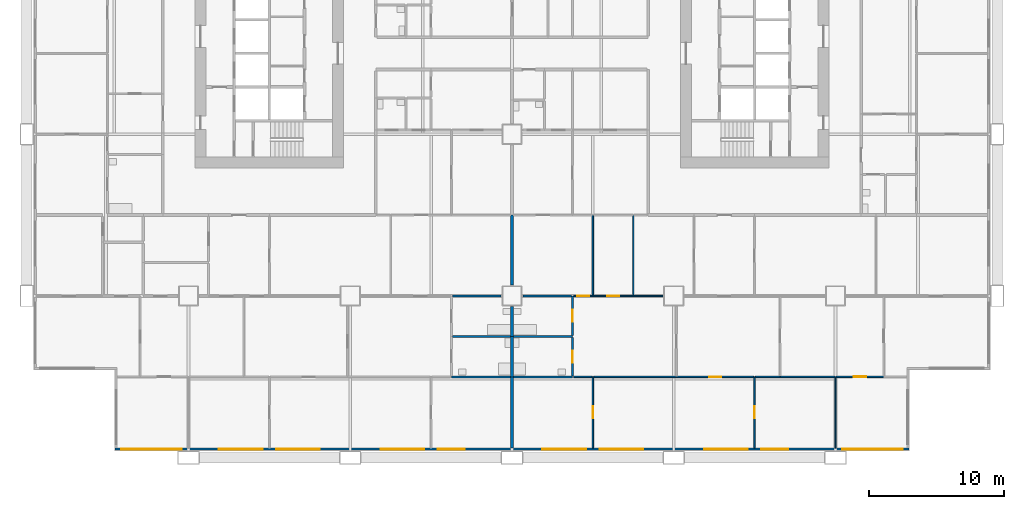
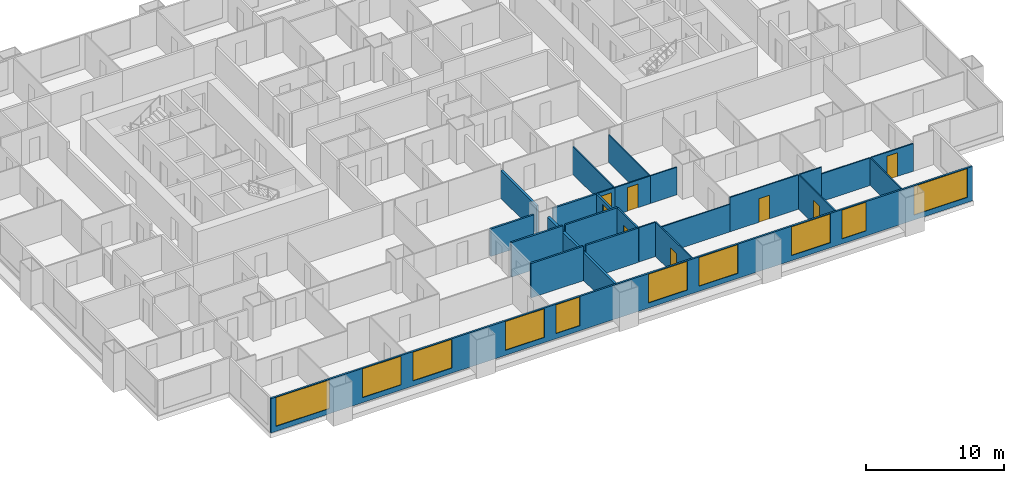
# One storey, part 5 of 14: 27 walls, 10 windows, 8 doors, 18 openings.
"""IFC4 building model written with IfcOpenShell, lengths in metres."""

from ifc_helpers import new_model, si_unit, direction, frame, frame_2d, origin, place, context, subcontext, project, spatial, rectangle, extrude, material, layer, layer_set, type_object, element, fill, save


model = new_model("IFC4")

# Units and contexts
model_context = context("Model", 3, precision=1e-05, world=origin(), true_north=direction((0.0, 1.0)))
body_context = subcontext(model_context, "Body", "Model", "MODEL_VIEW")
ifc_project = project(units=[si_unit("LENGTHUNIT", "METRE"), si_unit("AREAUNIT", "SQUARE_METRE"), si_unit("VOLUMEUNIT", "CUBIC_METRE"), si_unit("PLANEANGLEUNIT", "RADIAN"), si_unit("MASSUNIT", "GRAM", prefix="KILO")], contexts=[model_context])

# Site, building, storey
site_placement = place(None, origin())
site = spatial("IfcSite", under=ifc_project, at=site_placement, CompositionType="ELEMENT")
building_placement = place(site_placement, origin())
building = spatial("IfcBuilding", under=site, at=building_placement, Name="Kitamizu Gate Tower and Museum", CompositionType="ELEMENT")
storey_placement = place(building_placement, frame((0.0, 0.0, 67.949951171875)))
storey = spatial("IfcBuildingStorey", under=building, at=storey_placement, Name="L16", CompositionType="ELEMENT", Elevation=67.949951171875)

# Wall, opening, door
ifc_material_1 = material(Name="Gypsum board on galvanised stud")
ifc_layer_1 = layer(ifc_material_1, 0.10009765625)
ifc_layer_set_1 = layer_set([ifc_layer_1], Name="Gypsum board on galvanised stud")
wall_type_1 = type_object("IfcWallType", Name="Partition 100 NOT RATED", PredefinedType="PARTITIONING", material=ifc_layer_set_1)
wall_1_placement = place(storey_placement, frame((42.0, 0.719970703125, 0.0), z_axis=(0.0, 0.0, 1.0), x_axis=(0.0, 1.0, 0.0)))
wall_1 = element("IfcWall", 1, at=wall_1_placement, inside=storey, type_object=wall_type_1, Name="Partition L16-071", PredefinedType="PARTITIONING", context=body_context, shape_type="SweptSolid", body=[
    extrude(rectangle(XDim=5.280029296875, YDim=0.10009765625, at=frame_2d((2.64013671875, 0.0))), origin(), (0.0, 0.0, 1.0), 3.050048828125),
])
opening_1_placement = place(wall_1_placement, frame((2.18994140625, 0.0, 0.0)))
opening_1 = element("IfcOpeningElement", 2, at=opening_1_placement, cuts=wall_1, Name="Opening L16-032", PredefinedType="OPENING", context=body_context, shape_type="SweptSolid", body=[
    extrude(rectangle(XDim=0.89990234375, YDim=2.10009765625, at=frame_2d((0.449951171875, 1.050048828125))), frame((0.0, 0.06005859375, 0.0), z_axis=(0.0, -1.0, 0.0), x_axis=(1.0, 0.0, 0.0)), (0.0, 0.0, 1.0), 0.1201171875),
])
ifc_material_2 = material(Name="Timber door set", Category="wood")
door_type_1 = type_object("IfcDoorType", Name="Room door 900", OperationType="NOTDEFINED", PredefinedType="DOOR", material=ifc_material_2)
door_1_placement = place(opening_1_placement, origin())
door_1 = element("IfcDoor", 3, at=door_1_placement, inside=storey, type_object=door_type_1, Name="Door L16-032", OperationType="SINGLE_SWING_LEFT", OverallHeight=2.10009765625, OverallWidth=0.89990234375, PredefinedType="DOOR", context=body_context, shape_type="SweptSolid", body=[
    extrude(rectangle(XDim=0.89990234375, YDim=2.10009765625, at=frame_2d((0.449951171875, 1.050048828125))), frame((0.0, 0.02490234375, 0.0), z_axis=(0.0, -1.0, 0.0), x_axis=(1.0, 0.0, 0.0)), (0.0, 0.0, 1.0), 0.050048828125),
])
fill(opening_1, door_1)

# Wall
wall_2_placement = place(storey_placement, frame((41.949951171875, 6.0, 0.0), z_axis=(0.0, 0.0, 1.0), x_axis=(-1.0, 0.0, 0.0)))
element("IfcWall", 4, at=wall_2_placement, inside=storey, type_object=wall_type_1, Name="Partition L16-073", PredefinedType="PARTITIONING", context=body_context, shape_type="SweptSolid", body=[
    extrude(rectangle(XDim=1.375, YDim=0.10009765625, at=frame_2d((0.6875, 0.0))), origin(), (0.0, 0.0, 1.0), 3.050048828125),
])

# Wall, opening, door
wall_3_placement = place(storey_placement, frame((54.0, 0.719970703125, 0.0), z_axis=(0.0, 0.0, 1.0), x_axis=(0.0, 1.0, 0.0)))
wall_3 = element("IfcWall", 5, at=wall_3_placement, inside=storey, type_object=wall_type_1, Name="Partition L16-074", PredefinedType="PARTITIONING", context=body_context, shape_type="SweptSolid", body=[
    extrude(rectangle(XDim=5.280029296875, YDim=0.10009765625, at=frame_2d((2.64013671875, 0.0))), origin(), (0.0, 0.0, 1.0), 3.050048828125),
])
opening_2_placement = place(wall_3_placement, frame((2.18994140625, 0.0, 0.0)))
opening_2 = element("IfcOpeningElement", 6, at=opening_2_placement, cuts=wall_3, Name="Opening L16-033", PredefinedType="OPENING", context=body_context, shape_type="SweptSolid", body=[
    extrude(rectangle(XDim=0.89990234375, YDim=2.10009765625, at=frame_2d((0.449951171875, 1.050048828125))), frame((0.0, 0.06005859375, 0.0), z_axis=(0.0, -1.0, 0.0), x_axis=(1.0, 0.0, 0.0)), (0.0, 0.0, 1.0), 0.1201171875),
])
door_2_placement = place(opening_2_placement, frame((0.89990234375, 0.0, 0.0), x_axis=(-1.0, 0.0, 0.0)))
door_2 = element("IfcDoor", 7, at=door_2_placement, inside=storey, type_object=door_type_1, Name="Door L16-033", OperationType="SINGLE_SWING_LEFT", OverallHeight=2.10009765625, OverallWidth=0.89990234375, PredefinedType="DOOR", context=body_context, shape_type="SweptSolid", body=[
    extrude(rectangle(XDim=0.89990234375, YDim=2.10009765625, at=frame_2d((0.449951171875, 1.050048828125))), frame((0.0, 0.02490234375, 0.0), z_axis=(0.0, -1.0, 0.0), x_axis=(1.0, 0.0, 0.0)), (0.0, 0.0, 1.0), 0.050048828125),
])
fill(opening_2, door_2)

# Wall
wall_4_placement = place(storey_placement, frame((48.195068359375, 6.0, 0.0), z_axis=(0.0, 0.0, 1.0), x_axis=(-1.0, 0.0, 0.0)))
element("IfcWall", 8, at=wall_4_placement, inside=storey, type_object=wall_type_1, Name="Partition L16-075", PredefinedType="PARTITIONING", context=body_context, shape_type="SweptSolid", body=[
    extrude(rectangle(XDim=6.14501953125, YDim=0.10009765625, at=frame_2d((3.072509765625, 0.0))), origin(), (0.0, 0.0, 1.0), 2.449951171875),
])

# Wall, opening, door
wall_5_placement = place(storey_placement, frame((53.949951171875, 6.0, 0.0), z_axis=(0.0, 0.0, 1.0), x_axis=(-1.0, 0.0, 0.0)))
wall_5 = element("IfcWall", 9, at=wall_5_placement, inside=storey, type_object=wall_type_1, Name="Partition L16-076", PredefinedType="PARTITIONING", context=body_context, shape_type="SweptSolid", body=[
    extrude(rectangle(XDim=5.7548828125, YDim=0.10009765625, at=frame_2d((2.87744140625, 0.0))), origin(), (0.0, 0.0, 1.0), 3.050048828125),
])
opening_3_placement = place(wall_5_placement, frame((2.427490234375, 0.0, 0.0)))
opening_3 = element("IfcOpeningElement", 10, at=opening_3_placement, cuts=wall_5, Name="Opening L16-027", PredefinedType="OPENING", context=body_context, shape_type="SweptSolid", body=[
    extrude(rectangle(XDim=0.89990234375, YDim=2.10009765625, at=frame_2d((0.449951171875, 1.050048828125))), frame((0.0, 0.06005859375, 0.0), z_axis=(0.0, -1.0, 0.0), x_axis=(1.0, 0.0, 0.0)), (0.0, 0.0, 1.0), 0.1201171875),
])
door_3_placement = place(opening_3_placement, frame((0.89990234375, 0.0, 0.0), x_axis=(-1.0, 0.0, 0.0)))
door_3 = element("IfcDoor", 11, at=door_3_placement, inside=storey, type_object=door_type_1, Name="Door L16-027", OperationType="SINGLE_SWING_LEFT", OverallHeight=2.10009765625, OverallWidth=0.89990234375, PredefinedType="DOOR", context=body_context, shape_type="SweptSolid", body=[
    extrude(rectangle(XDim=0.89990234375, YDim=2.10009765625, at=frame_2d((0.449951171875, 1.050048828125))), frame((0.0, 0.02490234375, 0.0), z_axis=(0.0, -1.0, 0.0), x_axis=(1.0, 0.0, 0.0)), (0.0, 0.0, 1.0), 0.050048828125),
])
fill(opening_3, door_3)

# Walls
wall_6_placement = place(storey_placement, frame((60.0, 0.719970703125, 0.0), z_axis=(0.0, 0.0, 1.0), x_axis=(0.0, 1.0, 0.0)))
element("IfcWall", 12, at=wall_6_placement, inside=storey, type_object=wall_type_1, Name="Partition L16-077", PredefinedType="PARTITIONING", context=body_context, shape_type="SweptSolid", body=[
    extrude(rectangle(XDim=5.280029296875, YDim=0.10009765625, at=frame_2d((2.64013671875, 0.0))), origin(), (0.0, 0.0, 1.0), 2.449951171875),
])
wall_7_placement = place(storey_placement, frame((55.889892578125, 6.0, 0.0), z_axis=(0.0, 0.0, 1.0), x_axis=(-1.0, 0.0, 0.0)))
element("IfcWall", 13, at=wall_7_placement, inside=storey, type_object=wall_type_1, Name="Partition L16-078", PredefinedType="PARTITIONING", context=body_context, shape_type="SweptSolid", body=[
    extrude(rectangle(XDim=1.83984375, YDim=0.10009765625, at=frame_2d((0.919921875, 0.0))), origin(), (0.0, 0.0, 1.0), 3.050048828125),
])
wall_8_placement = place(storey_placement, frame((59.949951171875, 6.0, 0.0), z_axis=(0.0, 0.0, 1.0), x_axis=(-1.0, 0.0, 0.0)))
element("IfcWall", 14, at=wall_8_placement, inside=storey, type_object=wall_type_1, Name="Partition L16-079", PredefinedType="PARTITIONING", context=body_context, shape_type="SweptSolid", body=[
    extrude(rectangle(XDim=4.06005859375, YDim=0.10009765625, at=frame_2d((2.030029296875, 0.0))), origin(), (0.0, 0.0, 1.0), 2.449951171875),
])

# Wall, opening, door
wall_9_placement = place(storey_placement, frame((63.5849609375, 6.0, 0.0), z_axis=(0.0, 0.0, 1.0), x_axis=(-1.0, 0.0, 0.0)))
wall_9 = element("IfcWall", 15, at=wall_9_placement, inside=storey, type_object=wall_type_1, Name="Partition L16-080", PredefinedType="PARTITIONING", context=body_context, shape_type="SweptSolid", body=[
    extrude(rectangle(XDim=3.534912109375, YDim=0.10009765625, at=frame_2d((1.767578125, 0.0))), origin(), (0.0, 0.0, 1.0), 2.449951171875),
])
opening_4_placement = place(wall_9_placement, frame((1.3173828125, 0.0, 0.0)))
opening_4 = element("IfcOpeningElement", 16, at=opening_4_placement, cuts=wall_9, Name="Opening L16-034", PredefinedType="OPENING", context=body_context, shape_type="SweptSolid", body=[
    extrude(rectangle(XDim=0.89990234375, YDim=2.10009765625, at=frame_2d((0.449951171875, 1.050048828125))), frame((0.0, 0.06005859375, 0.0), z_axis=(0.0, -1.0, 0.0), x_axis=(1.0, 0.0, 0.0)), (0.0, 0.0, 1.0), 0.1201171875),
])
door_4_placement = place(opening_4_placement, origin())
door_4 = element("IfcDoor", 17, at=door_4_placement, inside=storey, type_object=door_type_1, Name="Door L16-034", OperationType="SINGLE_SWING_LEFT", OverallHeight=2.10009765625, OverallWidth=0.89990234375, PredefinedType="DOOR", context=body_context, shape_type="SweptSolid", body=[
    extrude(rectangle(XDim=0.89990234375, YDim=2.10009765625, at=frame_2d((0.449951171875, 1.050048828125))), frame((0.0, 0.02490234375, 0.0), z_axis=(0.0, -1.0, 0.0), x_axis=(1.0, 0.0, 0.0)), (0.0, 0.0, 1.0), 0.050048828125),
])
fill(opening_4, door_4)

wall_10_placement = place(storey_placement, frame((42.0, 12.0, 0.0), z_axis=(0.0, 0.0, 1.0), x_axis=(-1.0, 0.0, 0.0)))
wall_10 = element("IfcWall", 18, at=wall_10_placement, inside=storey, type_object=wall_type_1, Name="Partition L16-087", PredefinedType="PARTITIONING", context=body_context, shape_type="SweptSolid", body=[
    extrude(rectangle(XDim=1.425048828125, YDim=0.10009765625, at=frame_2d((0.71240234375, 0.0))), origin(), (0.0, 0.0, 1.0), 2.449951171875),
])
opening_5_placement = place(wall_10_placement, frame((0.262451171875, 0.0, 0.0)))
opening_5 = element("IfcOpeningElement", 19, at=opening_5_placement, cuts=wall_10, Name="Opening L16-036", PredefinedType="OPENING", context=body_context, shape_type="SweptSolid", body=[
    extrude(rectangle(XDim=0.89990234375, YDim=2.10009765625, at=frame_2d((0.449951171875, 1.050048828125))), frame((0.0, 0.06005859375, 0.0), z_axis=(0.0, -1.0, 0.0), x_axis=(1.0, 0.0, 0.0)), (0.0, 0.0, 1.0), 0.1201171875),
])
door_5_placement = place(opening_5_placement, frame((0.89990234375, 0.0, 0.0), x_axis=(-1.0, 0.0, 0.0)))
door_5 = element("IfcDoor", 20, at=door_5_placement, inside=storey, type_object=door_type_1, Name="Door L16-036", OperationType="SINGLE_SWING_LEFT", OverallHeight=2.10009765625, OverallWidth=0.89990234375, PredefinedType="DOOR", context=body_context, shape_type="SweptSolid", body=[
    extrude(rectangle(XDim=0.89990234375, YDim=2.10009765625, at=frame_2d((0.449951171875, 1.050048828125))), frame((0.0, 0.02490234375, 0.0), z_axis=(0.0, -1.0, 0.0), x_axis=(1.0, 0.0, 0.0)), (0.0, 0.0, 1.0), 0.050048828125),
])
fill(opening_5, door_5)

wall_11_placement = place(storey_placement, frame((45.0, 12.0, 0.0), z_axis=(0.0, 0.0, 1.0), x_axis=(-1.0, 0.0, 0.0)))
wall_11 = element("IfcWall", 21, at=wall_11_placement, inside=storey, type_object=wall_type_1, Name="Partition L16-088", PredefinedType="PARTITIONING", context=body_context, shape_type="SweptSolid", body=[
    extrude(rectangle(XDim=3.0, YDim=0.10009765625, at=frame_2d((1.5, 0.0))), origin(), (0.0, 0.0, 1.0), 2.449951171875),
])
opening_6_placement = place(wall_11_placement, frame((1.050048828125, 0.0, 0.0)))
opening_6 = element("IfcOpeningElement", 22, at=opening_6_placement, cuts=wall_11, Name="Opening L16-037", PredefinedType="OPENING", context=body_context, shape_type="SweptSolid", body=[
    extrude(rectangle(XDim=0.89990234375, YDim=2.10009765625, at=frame_2d((0.449951171875, 1.050048828125))), frame((0.0, 0.06005859375, 0.0), z_axis=(0.0, -1.0, 0.0), x_axis=(1.0, 0.0, 0.0)), (0.0, 0.0, 1.0), 0.1201171875),
])
door_6_placement = place(opening_6_placement, frame((0.89990234375, 0.0, 0.0), x_axis=(-1.0, 0.0, 0.0)))
door_6 = element("IfcDoor", 23, at=door_6_placement, inside=storey, type_object=door_type_1, Name="Door L16-037", OperationType="SINGLE_SWING_LEFT", OverallHeight=2.10009765625, OverallWidth=0.89990234375, PredefinedType="DOOR", context=body_context, shape_type="SweptSolid", body=[
    extrude(rectangle(XDim=0.89990234375, YDim=2.10009765625, at=frame_2d((0.449951171875, 1.050048828125))), frame((0.0, 0.02490234375, 0.0), z_axis=(0.0, -1.0, 0.0), x_axis=(1.0, 0.0, 0.0)), (0.0, 0.0, 1.0), 0.050048828125),
])
fill(opening_6, door_6)

# Walls
wall_12_placement = place(storey_placement, frame((47.199951171875, 12.0, 0.0), z_axis=(0.0, 0.0, 1.0), x_axis=(-1.0, 0.0, 0.0)))
element("IfcWall", 24, at=wall_12_placement, inside=storey, type_object=wall_type_1, Name="Partition L16-089", PredefinedType="PARTITIONING", context=body_context, shape_type="SweptSolid", body=[
    extrude(rectangle(XDim=2.199951171875, YDim=0.10009765625, at=frame_2d((1.10009765625, 0.0))), origin(), (0.0, 0.0, 1.0), 2.449951171875),
])
for number, where, z_axis, x_axis, name in (
    (25, (42.0, 12.050048828125, 0.0), (0.0, 0.0, 1.0), (0.0, 1.0, 0.0), "Partition L16-099"),
    (26, (45.0, 12.050048828125, 0.0), (0.0, 0.0, 1.0), (0.0, 1.0, 0.0), "Partition L16-102"),
):
    element("IfcWall", number, at=place(storey_placement, frame(where, z_axis=z_axis, x_axis=x_axis)), inside=storey, type_object=wall_type_1, Name=name, PredefinedType="PARTITIONING", context=body_context, shape_type="SweptSolid", body=[
        extrude(rectangle(XDim=5.949951171875, YDim=0.10009765625, at=frame_2d((2.97509765625, 0.0))), origin(), (0.0, 0.0, 1.0), 2.449951171875),
    ])
ifc_material_3 = material(Name="Gypsum board on galvanised stud")
ifc_layer_2 = layer(ifc_material_3, 0.14990234375)
ifc_layer_set_2 = layer_set([ifc_layer_2], Name="Gypsum board on galvanised stud")
wall_type_2 = type_object("IfcWallType", Name="Partition 150", PredefinedType="PARTITIONING", material=ifc_layer_set_2)
wall_13_placement = place(storey_placement, frame((35.89990234375, 6.0, 0.0), z_axis=(0.0, 0.0, 1.0), x_axis=(-1.0, 0.0, 0.0)))
element("IfcWall", 27, at=wall_13_placement, inside=storey, type_object=wall_type_2, Name="Partition L16-011", PredefinedType="PARTITIONING", context=body_context, shape_type="SweptSolid", body=[
    extrude(rectangle(XDim=4.39990234375, YDim=0.14990234375, at=frame_2d((2.199951171875, 0.0))), origin(), (0.0, 0.0, 1.0), 3.050048828125),
])
wall_14_placement = place(storey_placement, frame((35.89990234375, 9.0, 0.0), z_axis=(0.0, 0.0, 1.0), x_axis=(-1.0, 0.0, 0.0)))
element("IfcWall", 28, at=wall_14_placement, inside=storey, type_object=wall_type_2, Name="Partition L16-027", PredefinedType="PARTITIONING", context=body_context, shape_type="SweptSolid", body=[
    extrude(rectangle(XDim=4.324951171875, YDim=0.14990234375, at=frame_2d((2.16259765625, 0.0))), origin(), (0.0, 0.0, 1.0), 3.050048828125),
])
wall_15_placement = place(storey_placement, frame((35.199951171875, 12.0, 0.0), z_axis=(0.0, 0.0, 1.0), x_axis=(-1.0, 0.0, 0.0)))
element("IfcWall", 29, at=wall_15_placement, inside=storey, type_object=wall_type_2, Name="Partition L16-029", PredefinedType="PARTITIONING", context=body_context, shape_type="SweptSolid", body=[
    extrude(rectangle(XDim=3.625, YDim=0.14990234375, at=frame_2d((1.8125, 0.0))), origin(), (0.0, 0.0, 1.0), 2.449951171875),
])
for number, where, z_axis, x_axis, name in (
    (30, (40.5, 6.0, 0.0), (0.0, 0.0, 1.0), (-1.0, 0.0, 0.0), "Partition L16-072"),
    (31, (40.5, 9.0, 0.0), (0.0, 0.0, 1.0), (-1.0, 0.0, 0.0), "Partition L16-082"),
):
    element("IfcWall", number, at=place(storey_placement, frame(where, z_axis=z_axis, x_axis=x_axis)), inside=storey, type_object=wall_type_2, Name=name, PredefinedType="PARTITIONING", context=body_context, shape_type="SweptSolid", body=[
        extrude(rectangle(XDim=4.39990234375, YDim=0.14990234375, at=frame_2d((2.199951171875, 0.0))), origin(), (0.0, 0.0, 1.0), 3.050048828125),
    ])

# Wall, opening, door
wall_16_placement = place(storey_placement, frame((40.5, 6.074951171875, 0.0), z_axis=(0.0, 0.0, 1.0), x_axis=(0.0, 1.0, 0.0)))
wall_16 = element("IfcWall", 32, at=wall_16_placement, inside=storey, type_object=wall_type_2, Name="Partition L16-083", PredefinedType="PARTITIONING", context=body_context, shape_type="SweptSolid", body=[
    extrude(rectangle(XDim=2.85009765625, YDim=0.14990234375, at=frame_2d((1.425048828125, 0.0))), origin(), (0.0, 0.0, 1.0), 3.050048828125),
])
opening_7_placement = place(wall_16_placement, frame((0.97509765625, 0.0, 0.0)))
opening_7 = element("IfcOpeningElement", 33, at=opening_7_placement, cuts=wall_16, Name="Opening L16-031", PredefinedType="OPENING", context=body_context, shape_type="SweptSolid", body=[
    extrude(rectangle(XDim=0.89990234375, YDim=2.10009765625, at=frame_2d((0.449951171875, 1.050048828125))), frame((0.0, 0.0849609375, 0.0), z_axis=(0.0, -1.0, 0.0), x_axis=(1.0, 0.0, 0.0)), (0.0, 0.0, 1.0), 0.169921875),
])
ifc_material_4 = material(Name="Timber door set", Category="wood")
door_type_2 = type_object("IfcDoorType", Name="Bathroom door 900", OperationType="NOTDEFINED", PredefinedType="DOOR", material=ifc_material_4)
door_7_placement = place(opening_7_placement, origin())
door_7 = element("IfcDoor", 34, at=door_7_placement, inside=storey, type_object=door_type_2, Name="Bathroom door L16-031", OperationType="SINGLE_SWING_RIGHT", OverallHeight=2.10009765625, OverallWidth=0.89990234375, PredefinedType="DOOR", context=body_context, shape_type="SweptSolid", body=[
    extrude(rectangle(XDim=0.89990234375, YDim=2.10009765625, at=frame_2d((0.449951171875, 1.050048828125))), frame((0.0, 0.02490234375, 0.0), z_axis=(0.0, -1.0, 0.0), x_axis=(1.0, 0.0, 0.0)), (0.0, 0.0, 1.0), 0.050048828125),
])
fill(opening_7, door_7)

wall_17_placement = place(storey_placement, frame((40.5, 9.074951171875, 0.0), z_axis=(0.0, 0.0, 1.0), x_axis=(0.0, 1.0, 0.0)))
wall_17 = element("IfcWall", 35, at=wall_17_placement, inside=storey, type_object=wall_type_2, Name="Partition L16-084", PredefinedType="PARTITIONING", context=body_context, shape_type="SweptSolid", body=[
    extrude(rectangle(XDim=2.925048828125, YDim=0.14990234375, at=frame_2d((1.46240234375, 0.0))), origin(), (0.0, 0.0, 1.0), 2.449951171875),
])
opening_8_placement = place(wall_17_placement, frame((1.012451171875, 0.0, 0.0)))
opening_8 = element("IfcOpeningElement", 36, at=opening_8_placement, cuts=wall_17, Name="Opening L16-035", PredefinedType="OPENING", context=body_context, shape_type="SweptSolid", body=[
    extrude(rectangle(XDim=0.89990234375, YDim=2.10009765625, at=frame_2d((0.449951171875, 1.050048828125))), frame((0.0, 0.0849609375, 0.0), z_axis=(0.0, -1.0, 0.0), x_axis=(1.0, 0.0, 0.0)), (0.0, 0.0, 1.0), 0.169921875),
])
door_8_placement = place(opening_8_placement, origin())
door_8 = element("IfcDoor", 37, at=door_8_placement, inside=storey, type_object=door_type_2, Name="Bathroom door L16-035", OperationType="SINGLE_SWING_LEFT", OverallHeight=2.10009765625, OverallWidth=0.89990234375, PredefinedType="DOOR", context=body_context, shape_type="SweptSolid", body=[
    extrude(rectangle(XDim=0.89990234375, YDim=2.10009765625, at=frame_2d((0.449951171875, 1.050048828125))), frame((0.0, 0.02490234375, 0.0), z_axis=(0.0, -1.0, 0.0), x_axis=(1.0, 0.0, 0.0)), (0.0, 0.0, 1.0), 0.050048828125),
])
fill(opening_8, door_8)

# Walls
wall_18_placement = place(storey_placement, frame((40.425048828125, 12.0, 0.0), z_axis=(0.0, 0.0, 1.0), x_axis=(-1.0, 0.0, 0.0)))
element("IfcWall", 38, at=wall_18_placement, inside=storey, type_object=wall_type_2, Name="Partition L16-085", PredefinedType="PARTITIONING", context=body_context, shape_type="SweptSolid", body=[
    extrude(rectangle(XDim=3.625, YDim=0.14990234375, at=frame_2d((1.8125, 0.0))), origin(), (0.0, 0.0, 1.0), 2.449951171875),
])
ifc_material_5 = material(Name="Gypsum board on galvanised stud")
ifc_layer_3 = layer(ifc_material_5, 0.199951171875)
ifc_layer_set_3 = layer_set([ifc_layer_3], Name="Gypsum board on galvanised stud")
wall_type_3 = type_object("IfcWallType", Name="Partition 200", PredefinedType="PARTITIONING", material=ifc_layer_set_3)
wall_19_placement = place(storey_placement, frame((36.0, 0.719970703125, 0.0), z_axis=(0.0, 0.0, 1.0), x_axis=(0.0, 1.0, 0.0)))
element("IfcWall", 39, at=wall_19_placement, inside=storey, type_object=wall_type_3, Name="Partition L16-012", PredefinedType="PARTITIONING", context=body_context, shape_type="SweptSolid", body=[
    extrude(rectangle(XDim=5.280029296875, YDim=0.199951171875, at=frame_2d((2.64013671875, 0.0))), origin(), (0.0, 0.0, 1.0), 2.449951171875),
])
wall_20_placement = place(storey_placement, frame((36.0, 6.0, 0.0), z_axis=(0.0, 0.0, 1.0), x_axis=(0.0, 1.0, 0.0)))
element("IfcWall", 40, at=wall_20_placement, inside=storey, type_object=wall_type_3, Name="Partition L16-028", PredefinedType="PARTITIONING", context=body_context, shape_type="SweptSolid", body=[
    extrude(rectangle(XDim=3.0, YDim=0.199951171875, at=frame_2d((1.5, 0.0))), origin(), (0.0, 0.0, 1.0), 2.449951171875),
])
wall_21_placement = place(storey_placement, frame((36.0, 9.0, 0.0), z_axis=(0.0, 0.0, 1.0), x_axis=(0.0, 1.0, 0.0)))
element("IfcWall", 41, at=wall_21_placement, inside=storey, type_object=wall_type_3, Name="Partition L16-030", PredefinedType="PARTITIONING", context=body_context, shape_type="SweptSolid", body=[
    extrude(rectangle(XDim=2.199951171875, YDim=0.199951171875, at=frame_2d((1.10009765625, 0.0))), origin(), (0.0, 0.0, 1.0), 2.449951171875),
])
wall_22_placement = place(storey_placement, frame((36.0, 12.800048828125, 0.0), z_axis=(0.0, 0.0, 1.0), x_axis=(0.0, 1.0, 0.0)))
element("IfcWall", 42, at=wall_22_placement, inside=storey, type_object=wall_type_3, Name="Partition L16-051", PredefinedType="PARTITIONING", context=body_context, shape_type="SweptSolid", body=[
    extrude(rectangle(XDim=5.199951171875, YDim=0.199951171875, at=frame_2d((2.60009765625, 0.0))), origin(), (0.0, 0.0, 1.0), 2.449951171875),
])

# Wall, openings, windows
ifc_material_6 = material(Name="Bronze anodised aluminium frame with insulated spandrel and tinted glass", Category="aluminium")
ifc_layer_4 = layer(ifc_material_6, 0.14990234375)
ifc_layer_set_4 = layer_set([ifc_layer_4], Name="Bronze anodised aluminium frame with insulated spandrel and tinted glass")
wall_type_4 = type_object("IfcWallType", Name="WINDOW WALL 150 BRONZE FRAME EI 30", PredefinedType="ELEMENTEDWALL", material=ifc_layer_set_4)
wall_23_placement = place(storey_placement, frame((6.56005859375, 0.635009765625, 0.0), z_axis=(0.0, 0.0, 1.0), x_axis=(1.0, 0.0, 0.0)))
wall_23 = element("IfcWall", 43, at=wall_23_placement, inside=storey, type_object=wall_type_4, Name="Window wall south L16", PredefinedType="ELEMENTEDWALL", context=body_context, shape_type="SweptSolid", body=[
    extrude(rectangle(XDim=58.8798828125, YDim=0.14990234375, at=frame_2d((29.43994140625, 0.0))), origin(), (0.0, 0.0, 1.0), 3.050048828125),
])
opening_9_placement = place(wall_23_placement, frame((0.43994140625, 0.0, 0.449951171875)))
opening_9 = element("IfcOpeningElement", 44, at=opening_9_placement, cuts=wall_23, Name="Opening W15", PredefinedType="OPENING", context=body_context, shape_type="SweptSolid", body=[
    extrude(rectangle(XDim=4.5, YDim=2.550048828125, at=frame_2d((2.25, 1.27490234375))), frame((0.0, 0.0849609375, 0.0), z_axis=(0.0, -1.0, 0.0), x_axis=(1.0, 0.0, 0.0)), (0.0, 0.0, 1.0), 0.169921875),
])
opening_10_placement = place(wall_23_placement, frame((7.68994140625, 0.0, 0.449951171875)))
opening_10 = element("IfcOpeningElement", 45, at=opening_10_placement, cuts=wall_23, Name="Opening W34", PredefinedType="OPENING", context=body_context, shape_type="SweptSolid", body=[
    extrude(rectangle(XDim=3.25, YDim=2.550048828125, at=frame_2d((1.625, 1.27490234375))), frame((0.0, 0.0849609375, 0.0), z_axis=(0.0, -1.0, 0.0), x_axis=(1.0, 0.0, 0.0)), (0.0, 0.0, 1.0), 0.169921875),
])
opening_11_placement = place(wall_23_placement, frame((11.93994140625, 0.0, 0.449951171875)))
opening_11 = element("IfcOpeningElement", 46, at=opening_11_placement, cuts=wall_23, Name="Opening W34", PredefinedType="OPENING", context=body_context, shape_type="SweptSolid", body=[
    extrude(rectangle(XDim=3.25, YDim=2.550048828125, at=frame_2d((1.625, 1.27490234375))), frame((0.0, 0.0849609375, 0.0), z_axis=(0.0, -1.0, 0.0), x_axis=(1.0, 0.0, 0.0)), (0.0, 0.0, 1.0), 0.169921875),
])
opening_12_placement = place(wall_23_placement, frame((19.68994140625, 0.0, 0.449951171875)))
opening_12 = element("IfcOpeningElement", 47, at=opening_12_placement, cuts=wall_23, Name="Opening W34", PredefinedType="OPENING", context=body_context, shape_type="SweptSolid", body=[
    extrude(rectangle(XDim=3.25, YDim=2.550048828125, at=frame_2d((1.625, 1.27490234375))), frame((0.0, 0.0849609375, 0.0), z_axis=(0.0, -1.0, 0.0), x_axis=(1.0, 0.0, 0.0)), (0.0, 0.0, 1.0), 0.169921875),
])
opening_13_placement = place(wall_23_placement, frame((23.93994140625, 0.0, 0.449951171875)))
opening_13 = element("IfcOpeningElement", 48, at=opening_13_placement, cuts=wall_23, Name="Opening W2", PredefinedType="OPENING", context=body_context, shape_type="SweptSolid", body=[
    extrude(rectangle(XDim=2.0, YDim=2.550048828125, at=frame_2d((1.0, 1.27490234375))), frame((0.0, 0.0849609375, 0.0), z_axis=(0.0, -1.0, 0.0), x_axis=(1.0, 0.0, 0.0)), (0.0, 0.0, 1.0), 0.169921875),
])
opening_14_placement = place(wall_23_placement, frame((31.68994140625, 0.0, 0.449951171875)))
opening_14 = element("IfcOpeningElement", 49, at=opening_14_placement, cuts=wall_23, Name="Opening W34", PredefinedType="OPENING", context=body_context, shape_type="SweptSolid", body=[
    extrude(rectangle(XDim=3.25, YDim=2.550048828125, at=frame_2d((1.625, 1.27490234375))), frame((0.0, 0.0849609375, 0.0), z_axis=(0.0, -1.0, 0.0), x_axis=(1.0, 0.0, 0.0)), (0.0, 0.0, 1.0), 0.169921875),
])
opening_15_placement = place(wall_23_placement, frame((35.93994140625, 0.0, 0.449951171875)))
opening_15 = element("IfcOpeningElement", 50, at=opening_15_placement, cuts=wall_23, Name="Opening W34", PredefinedType="OPENING", context=body_context, shape_type="SweptSolid", body=[
    extrude(rectangle(XDim=3.25, YDim=2.550048828125, at=frame_2d((1.625, 1.27490234375))), frame((0.0, 0.0849609375, 0.0), z_axis=(0.0, -1.0, 0.0), x_axis=(1.0, 0.0, 0.0)), (0.0, 0.0, 1.0), 0.169921875),
])
opening_16_placement = place(wall_23_placement, frame((43.68994140625, 0.0, 0.449951171875)))
opening_16 = element("IfcOpeningElement", 51, at=opening_16_placement, cuts=wall_23, Name="Opening W34", PredefinedType="OPENING", context=body_context, shape_type="SweptSolid", body=[
    extrude(rectangle(XDim=3.25, YDim=2.550048828125, at=frame_2d((1.625, 1.27490234375))), frame((0.0, 0.0849609375, 0.0), z_axis=(0.0, -1.0, 0.0), x_axis=(1.0, 0.0, 0.0)), (0.0, 0.0, 1.0), 0.169921875),
])
opening_17_placement = place(wall_23_placement, frame((47.93994140625, 0.0, 0.449951171875)))
opening_17 = element("IfcOpeningElement", 52, at=opening_17_placement, cuts=wall_23, Name="Opening W2", PredefinedType="OPENING", context=body_context, shape_type="SweptSolid", body=[
    extrude(rectangle(XDim=2.0, YDim=2.550048828125, at=frame_2d((1.0, 1.27490234375))), frame((0.0, 0.0849609375, 0.0), z_axis=(0.0, -1.0, 0.0), x_axis=(1.0, 0.0, 0.0)), (0.0, 0.0, 1.0), 0.169921875),
])
opening_18_placement = place(wall_23_placement, frame((53.93994140625, 0.0, 0.449951171875)))
opening_18 = element("IfcOpeningElement", 53, at=opening_18_placement, cuts=wall_23, Name="Opening W15", PredefinedType="OPENING", context=body_context, shape_type="SweptSolid", body=[
    extrude(rectangle(XDim=4.5, YDim=2.550048828125, at=frame_2d((2.25, 1.27490234375))), frame((0.0, 0.0849609375, 0.0), z_axis=(0.0, -1.0, 0.0), x_axis=(1.0, 0.0, 0.0)), (0.0, 0.0, 1.0), 0.169921875),
])
ifc_material_7 = material(Name="Bronze anodised aluminium frame, tinted triple glazing", Category="aluminium")
window_type_1 = type_object("IfcWindowType", Name="WINDOW 2000 x 2550 SILL 450", PartitioningType="SINGLE_PANEL", PredefinedType="WINDOW", material=ifc_material_7)
window_1_placement = place(opening_13_placement, origin())
window_1 = element("IfcWindow", 54, at=window_1_placement, inside=storey, type_object=window_type_1, Name="Window W2 L16", OverallHeight=2.550048828125, OverallWidth=2.0, PartitioningType="SINGLE_PANEL", PredefinedType="WINDOW", context=body_context, shape_type="SweptSolid", body=[
    extrude(rectangle(XDim=2.0, YDim=2.550048828125, at=frame_2d((1.0, 1.27490234375))), frame((0.0, 0.030029296875, 0.0), z_axis=(0.0, -1.0, 0.0), x_axis=(1.0, 0.0, 0.0)), (0.0, 0.0, 1.0), 0.06005859375),
])
fill(opening_13, window_1)
window_2_placement = place(opening_17_placement, origin())
window_2 = element("IfcWindow", 55, at=window_2_placement, inside=storey, type_object=window_type_1, Name="Window W2 L16", OverallHeight=2.550048828125, OverallWidth=2.0, PartitioningType="SINGLE_PANEL", PredefinedType="WINDOW", context=body_context, shape_type="SweptSolid", body=[
    extrude(rectangle(XDim=2.0, YDim=2.550048828125, at=frame_2d((1.0, 1.27490234375))), frame((0.0, 0.030029296875, 0.0), z_axis=(0.0, -1.0, 0.0), x_axis=(1.0, 0.0, 0.0)), (0.0, 0.0, 1.0), 0.06005859375),
])
fill(opening_17, window_2)
ifc_material_8 = material(Name="Bronze anodised aluminium frame, tinted triple glazing", Category="aluminium")
window_type_2 = type_object("IfcWindowType", Name="WINDOW 3250 x 2550 SILL 450", PartitioningType="SINGLE_PANEL", PredefinedType="WINDOW", material=ifc_material_8)
window_3_placement = place(opening_10_placement, origin())
window_3 = element("IfcWindow", 56, at=window_3_placement, inside=storey, type_object=window_type_2, Name="Window W34 L16", OverallHeight=2.550048828125, OverallWidth=3.25, PartitioningType="SINGLE_PANEL", PredefinedType="WINDOW", context=body_context, shape_type="SweptSolid", body=[
    extrude(rectangle(XDim=3.25, YDim=2.550048828125, at=frame_2d((1.625, 1.27490234375))), frame((0.0, 0.030029296875, 0.0), z_axis=(0.0, -1.0, 0.0), x_axis=(1.0, 0.0, 0.0)), (0.0, 0.0, 1.0), 0.06005859375),
])
fill(opening_10, window_3)
window_4_placement = place(opening_11_placement, origin())
window_4 = element("IfcWindow", 57, at=window_4_placement, inside=storey, type_object=window_type_2, Name="Window W34 L16", OverallHeight=2.550048828125, OverallWidth=3.25, PartitioningType="SINGLE_PANEL", PredefinedType="WINDOW", context=body_context, shape_type="SweptSolid", body=[
    extrude(rectangle(XDim=3.25, YDim=2.550048828125, at=frame_2d((1.625, 1.27490234375))), frame((0.0, 0.030029296875, 0.0), z_axis=(0.0, -1.0, 0.0), x_axis=(1.0, 0.0, 0.0)), (0.0, 0.0, 1.0), 0.06005859375),
])
fill(opening_11, window_4)
window_5_placement = place(opening_12_placement, origin())
window_5 = element("IfcWindow", 58, at=window_5_placement, inside=storey, type_object=window_type_2, Name="Window W34 L16", OverallHeight=2.550048828125, OverallWidth=3.25, PartitioningType="SINGLE_PANEL", PredefinedType="WINDOW", context=body_context, shape_type="SweptSolid", body=[
    extrude(rectangle(XDim=3.25, YDim=2.550048828125, at=frame_2d((1.625, 1.27490234375))), frame((0.0, 0.030029296875, 0.0), z_axis=(0.0, -1.0, 0.0), x_axis=(1.0, 0.0, 0.0)), (0.0, 0.0, 1.0), 0.06005859375),
])
fill(opening_12, window_5)
window_6_placement = place(opening_14_placement, origin())
window_6 = element("IfcWindow", 59, at=window_6_placement, inside=storey, type_object=window_type_2, Name="Window W34 L16", OverallHeight=2.550048828125, OverallWidth=3.25, PartitioningType="SINGLE_PANEL", PredefinedType="WINDOW", context=body_context, shape_type="SweptSolid", body=[
    extrude(rectangle(XDim=3.25, YDim=2.550048828125, at=frame_2d((1.625, 1.27490234375))), frame((0.0, 0.030029296875, 0.0), z_axis=(0.0, -1.0, 0.0), x_axis=(1.0, 0.0, 0.0)), (0.0, 0.0, 1.0), 0.06005859375),
])
fill(opening_14, window_6)
window_7_placement = place(opening_15_placement, origin())
window_7 = element("IfcWindow", 60, at=window_7_placement, inside=storey, type_object=window_type_2, Name="Window W34 L16", OverallHeight=2.550048828125, OverallWidth=3.25, PartitioningType="SINGLE_PANEL", PredefinedType="WINDOW", context=body_context, shape_type="SweptSolid", body=[
    extrude(rectangle(XDim=3.25, YDim=2.550048828125, at=frame_2d((1.625, 1.27490234375))), frame((0.0, 0.030029296875, 0.0), z_axis=(0.0, -1.0, 0.0), x_axis=(1.0, 0.0, 0.0)), (0.0, 0.0, 1.0), 0.06005859375),
])
fill(opening_15, window_7)
window_8_placement = place(opening_16_placement, origin())
window_8 = element("IfcWindow", 61, at=window_8_placement, inside=storey, type_object=window_type_2, Name="Window W34 L16", OverallHeight=2.550048828125, OverallWidth=3.25, PartitioningType="SINGLE_PANEL", PredefinedType="WINDOW", context=body_context, shape_type="SweptSolid", body=[
    extrude(rectangle(XDim=3.25, YDim=2.550048828125, at=frame_2d((1.625, 1.27490234375))), frame((0.0, 0.030029296875, 0.0), z_axis=(0.0, -1.0, 0.0), x_axis=(1.0, 0.0, 0.0)), (0.0, 0.0, 1.0), 0.06005859375),
])
fill(opening_16, window_8)
ifc_material_9 = material(Name="Bronze anodised aluminium frame, tinted triple glazing", Category="aluminium")
window_type_3 = type_object("IfcWindowType", Name="WINDOW 4500 x 2550 SILL 450", PartitioningType="SINGLE_PANEL", PredefinedType="WINDOW", material=ifc_material_9)
window_9_placement = place(opening_9_placement, origin())
window_9 = element("IfcWindow", 62, at=window_9_placement, inside=storey, type_object=window_type_3, Name="Window W15 L16", OverallHeight=2.550048828125, OverallWidth=4.5, PartitioningType="SINGLE_PANEL", PredefinedType="WINDOW", context=body_context, shape_type="SweptSolid", body=[
    extrude(rectangle(XDim=4.5, YDim=2.550048828125, at=frame_2d((2.25, 1.27490234375))), frame((0.0, 0.030029296875, 0.0), z_axis=(0.0, -1.0, 0.0), x_axis=(1.0, 0.0, 0.0)), (0.0, 0.0, 1.0), 0.06005859375),
])
fill(opening_9, window_9)
window_10_placement = place(opening_18_placement, origin())
window_10 = element("IfcWindow", 63, at=window_10_placement, inside=storey, type_object=window_type_3, Name="Window W15 L16", OverallHeight=2.550048828125, OverallWidth=4.5, PartitioningType="SINGLE_PANEL", PredefinedType="WINDOW", context=body_context, shape_type="SweptSolid", body=[
    extrude(rectangle(XDim=4.5, YDim=2.550048828125, at=frame_2d((2.25, 1.27490234375))), frame((0.0, 0.030029296875, 0.0), z_axis=(0.0, -1.0, 0.0), x_axis=(1.0, 0.0, 0.0)), (0.0, 0.0, 1.0), 0.06005859375),
])
fill(opening_18, window_10)

save(model, "model.ifc")
